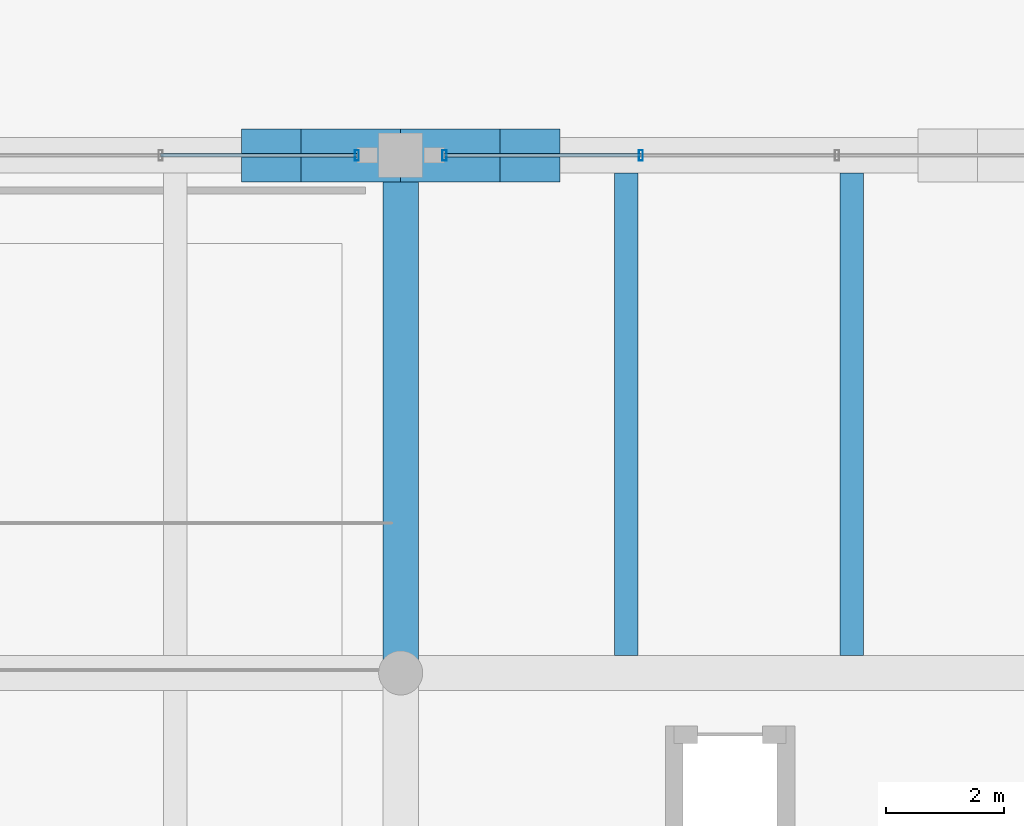
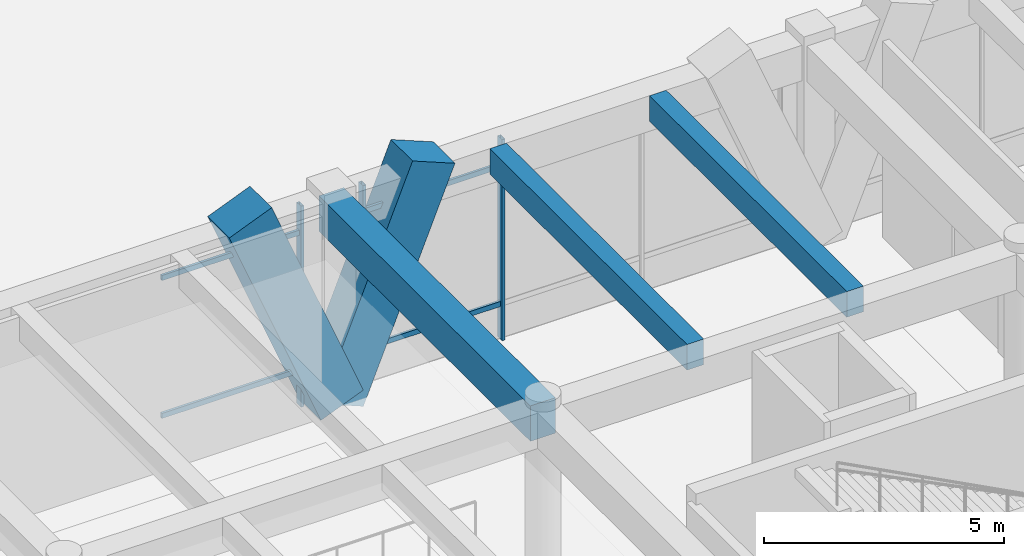
# One storey, part 45 of 148: 9 members, 3 beams, 2 elements without a shape of their own.
"""IFC4 building model written with IfcOpenShell, lengths in metres."""

from ifc_helpers import new_model, si_unit, direction, frame, origin, origin_2d, place, context, subcontext, project, spatial, rectangle, hollow_rectangle, extrude, material, material_profile, profile_set, type_object, element, aggregate, save


model = new_model("IFC4")

# Units and contexts
model_context = context("Model", 3, precision=1e-05, world=origin(), true_north=direction((0.0, 1.0)))
body_context = subcontext(model_context, "Body", "Model", "MODEL_VIEW")
ifc_project = project(units=[si_unit("LENGTHUNIT", "METRE"), si_unit("AREAUNIT", "SQUARE_METRE"), si_unit("VOLUMEUNIT", "CUBIC_METRE"), si_unit("PLANEANGLEUNIT", "RADIAN"), si_unit("MASSUNIT", "GRAM", prefix="KILO")], contexts=[model_context])

# Site, building, storey
site_placement = place(None, origin())
site = spatial("IfcSite", under=ifc_project, at=site_placement, CompositionType="ELEMENT")
building_placement = place(site_placement, origin())
building = spatial("IfcBuilding", under=site, at=building_placement, Name="Ologun Quay Terminus", CompositionType="ELEMENT")
storey_placement = place(building_placement, frame((0.0, 0.0, 8.39990234375)))
storey = spatial("IfcBuildingStorey", under=building, at=storey_placement, Name="L02", CompositionType="ELEMENT", Elevation=8.39990234375)

# Curtain wall, member
ifc_material_1 = material(Name="Aluminium 6063-T6", Category="aluminium")
curtain_wall_type = type_object("IfcCurtainWallType", Name="Train Shed South Clerestory Curtain Wall 10700x5050", PredefinedType="USERDEFINED", material=ifc_material_1)
curtain_wall_1_placement = place(storey_placement, origin())
curtain_wall_1 = element("IfcCurtainWall", 1, at=curtain_wall_1_placement, inside=storey, type_object=curtain_wall_type, Name="CW-08 Curtain Wall CW-L02-062", ObjectType="UNITISED CURTAIN WALL", PredefinedType="USERDEFINED")
ifc_material_2 = material(Name="Aluminium 6063-T6", Category="aluminium")
ifc_material_profile_1 = material_profile(ifc_material_2, hollow_rectangle(XDim=0.070068359375, YDim=0.179931640625, WallThickness=0.0048828125, at=origin_2d()), Name="ALU 180x70x5")
ifc_profile_set_1 = profile_set([ifc_material_profile_1], Name="Aluminium 6063-T6")
member_type_1 = type_object("IfcMemberType", Name="Concourse Clerestory Mullion 180x70", PredefinedType="MULLION", material=ifc_profile_set_1)
member_1_placement = place(storey_placement, frame((114.2548828125, 36.0, 0.0), z_axis=(0.0, 0.0, 1.0), x_axis=(1.0, 0.0, 0.0)))
member_1 = element("IfcMember", 2, at=member_1_placement, type_object=member_type_1, Name="CW-L02-062 Mullion 4", PredefinedType="MULLION", context=body_context, shape_type="SweptSolid", body=[
    extrude(hollow_rectangle(XDim=0.070068359375, YDim=0.179931640625, WallThickness=0.0048828125, at=origin_2d()), origin(), (0.0, 0.0, 1.0), 5.10009765625),
])

# Curtain wall, members
curtain_wall_2_placement = place(storey_placement, origin())
curtain_wall_2 = element("IfcCurtainWall", 3, at=curtain_wall_2_placement, inside=storey, type_object=curtain_wall_type, Name="CW-08 Curtain Wall CW-L02-064", ObjectType="UNITISED CURTAIN WALL", PredefinedType="USERDEFINED")
member_2_placement = place(storey_placement, frame((115.7451171875, 36.0, 0.0), z_axis=(0.0, 0.0, 1.0), x_axis=(1.0, 0.0, 0.0)))
member_2 = element("IfcMember", 4, at=member_2_placement, type_object=member_type_1, Name="CW-L02-064 Mullion 1", PredefinedType="MULLION", context=body_context, shape_type="SweptSolid", body=[
    extrude(hollow_rectangle(XDim=0.070068359375, YDim=0.179931640625, WallThickness=0.0048828125, at=origin_2d()), origin(), (0.0, 0.0, 1.0), 5.10009765625),
])
member_3_placement = place(storey_placement, frame((119.081787109375, 36.0, 0.0), z_axis=(0.0, 0.0, 1.0), x_axis=(1.0, 0.0, 0.0)))
member_3 = element("IfcMember", 5, at=member_3_placement, type_object=member_type_1, Name="CW-L02-064 Mullion 2", PredefinedType="MULLION", context=body_context, shape_type="SweptSolid", body=[
    extrude(hollow_rectangle(XDim=0.070068359375, YDim=0.179931640625, WallThickness=0.0048828125, at=origin_2d()), origin(), (0.0, 0.0, 1.0), 5.10009765625),
])

# Member
ifc_material_3 = material(Name="Aluminium 6063-T6", Category="aluminium")
ifc_material_profile_2 = material_profile(ifc_material_3, hollow_rectangle(XDim=0.06005859375, YDim=0.1298828125, WallThickness=0.00390625, at=origin_2d()), Name="ALU 130x60x4")
ifc_profile_set_2 = profile_set([ifc_material_profile_2], Name="Aluminium 6063-T6")
member_type_2 = type_object("IfcMemberType", Name="Concourse Clerestory Transom 130x60", PredefinedType="USERDEFINED", material=ifc_profile_set_2)
member_4_placement = place(storey_placement, frame((110.918212890625, 36.0, 0.900146484375), z_axis=(1.0, 0.0, 0.0), x_axis=(0.0, 1.0, 0.0)))
member_4 = element("IfcMember", 6, at=member_4_placement, type_object=member_type_2, Name="CW-L02-062 Transom B3-1", ObjectType="TRANSOM", PredefinedType="USERDEFINED", context=body_context, shape_type="SweptSolid", body=[
    extrude(hollow_rectangle(XDim=0.06005859375, YDim=0.1298828125, WallThickness=0.00390625, at=origin_2d()), origin(), (0.0, 0.0, 1.0), 3.336669921875),
])

member_5_placement = place(storey_placement, frame((110.918212890625, 36.0, 4.400146484375), z_axis=(1.0, 0.0, 0.0), x_axis=(0.0, 1.0, 0.0)))
member_5 = element("IfcMember", 7, at=member_5_placement, type_object=member_type_2, Name="CW-L02-062 Transom B3-2", ObjectType="TRANSOM", PredefinedType="USERDEFINED", context=body_context, shape_type="SweptSolid", body=[
    extrude(hollow_rectangle(XDim=0.06005859375, YDim=0.1298828125, WallThickness=0.00390625, at=origin_2d()), origin(), (0.0, 0.0, 1.0), 3.336669921875),
])

aggregate(curtain_wall_1, [member_1, member_4, member_5])

member_6_placement = place(storey_placement, frame((115.7451171875, 36.0, 0.900146484375), z_axis=(1.0, 0.0, 0.0), x_axis=(0.0, 1.0, 0.0)))
member_6 = element("IfcMember", 8, at=member_6_placement, type_object=member_type_2, Name="CW-L02-064 Transom B1-1", ObjectType="TRANSOM", PredefinedType="USERDEFINED", context=body_context, shape_type="SweptSolid", body=[
    extrude(hollow_rectangle(XDim=0.06005859375, YDim=0.1298828125, WallThickness=0.00390625, at=origin_2d()), origin(), (0.0, 0.0, 1.0), 3.336669921875),
])

member_7_placement = place(storey_placement, frame((115.7451171875, 36.0, 4.400146484375), z_axis=(1.0, 0.0, 0.0), x_axis=(0.0, 1.0, 0.0)))
member_7 = element("IfcMember", 9, at=member_7_placement, type_object=member_type_2, Name="CW-L02-064 Transom B1-2", ObjectType="TRANSOM", PredefinedType="USERDEFINED", context=body_context, shape_type="SweptSolid", body=[
    extrude(hollow_rectangle(XDim=0.06005859375, YDim=0.1298828125, WallThickness=0.00390625, at=origin_2d()), origin(), (0.0, 0.0, 1.0), 3.336669921875),
])

aggregate(curtain_wall_2, [member_2, member_3, member_6, member_7])

# Members
ifc_material_4 = material(Name="Concrete C45/55", Category="concrete")
ifc_material_profile_3 = material_profile(ifc_material_4, rectangle(XDim=0.89990234375, YDim=1.10009765625, at=origin_2d()), Name="RC 900x1100")
ifc_profile_set_3 = profile_set([ifc_material_profile_3], Name="Concrete C45/55")
member_type_3 = type_object("IfcMemberType", Name="Sculpted Concrete Arch V-Buttress Strut 900x1100", PredefinedType="STRUT", material=ifc_profile_set_3)
for number, where, z_axis, x_axis, name in (
    (10, (115.0, 36.0, 0.0), (-0.377280927807, 0.0, 0.926098861631), (0.0, -1.0, 0.0), "VS1 Arch V-Buttress West Limb 11/E"),
    (11, (115.0, 36.0, 0.0), (0.377280927807, 0.0, 0.926098861631), (0.0, 1.0, 0.0), "VS1 Arch V-Buttress East Limb 11/E"),
):
    element("IfcMember", number, at=place(storey_placement, frame(where, z_axis=z_axis, x_axis=x_axis)), inside=storey, type_object=member_type_3, Name=name, PredefinedType="STRUT", context=body_context, shape_type="SweptSolid", body=[
        extrude(rectangle(XDim=0.89990234375, YDim=1.10009765625, at=origin_2d()), origin(), (0.0, 0.0, 1.0), 5.8310546875),
    ])

# Beams
ifc_material_5 = material(Name="Concrete C40/50", Category="concrete")
ifc_material_profile_4 = material_profile(ifc_material_5, rectangle(XDim=0.60009765625, YDim=0.89990234375, at=origin_2d()), Name="RC 600x900")
ifc_profile_set_4 = profile_set([ifc_material_profile_4], Name="Concrete C40/50")
beam_type_1 = type_object("IfcBeamType", Name="Station Frame Girder 600x900", PredefinedType="BEAM", material=ifc_profile_set_4)
beam_placement = place(storey_placement, frame((115.0, 27.199951171875, 4.7001953125), z_axis=(0.0, 1.0, 0.0), x_axis=(-1.0, 0.0, 0.0)))
element("IfcBeam", 12, at=beam_placement, inside=storey, type_object=beam_type_1, Name="B3 Beam 11/D L02", PredefinedType="BEAM", context=body_context, shape_type="SweptSolid", body=[
    extrude(rectangle(XDim=0.60009765625, YDim=0.89990234375, at=origin_2d()), origin(), (0.0, 0.0, 1.0), 8.800048828125),
])
ifc_material_6 = material(Name="Concrete C40/50", Category="concrete")
ifc_material_profile_5 = material_profile(ifc_material_6, rectangle(XDim=0.39990234375, YDim=0.64990234375, at=origin_2d()), Name="RC 400x650")
ifc_profile_set_5 = profile_set([ifc_material_profile_5], Name="Concrete C40/50")
beam_type_2 = type_object("IfcBeamType", Name="Station Secondary Joist 400x650", PredefinedType="JOIST", material=ifc_profile_set_5)
for number, where, z_axis, x_axis, name in (
    (13, (118.833251953125, 27.5, 4.8251953125), (0.0, 1.0, 0.0), (-1.0, 0.0, 0.0), "J1 Beam 11/D L02"),
    (14, (122.666748046875, 27.5, 4.8251953125), (0.0, 1.0, 0.0), (-1.0, 0.0, 0.0), "J1 Beam 11/D L02"),
):
    element("IfcBeam", number, at=place(storey_placement, frame(where, z_axis=z_axis, x_axis=x_axis)), inside=storey, type_object=beam_type_2, Name=name, PredefinedType="JOIST", context=body_context, shape_type="SweptSolid", body=[
        extrude(rectangle(XDim=0.39990234375, YDim=0.64990234375, at=origin_2d()), origin(), (0.0, 0.0, 1.0), 8.199951171875),
    ])

save(model, "model.ifc")
